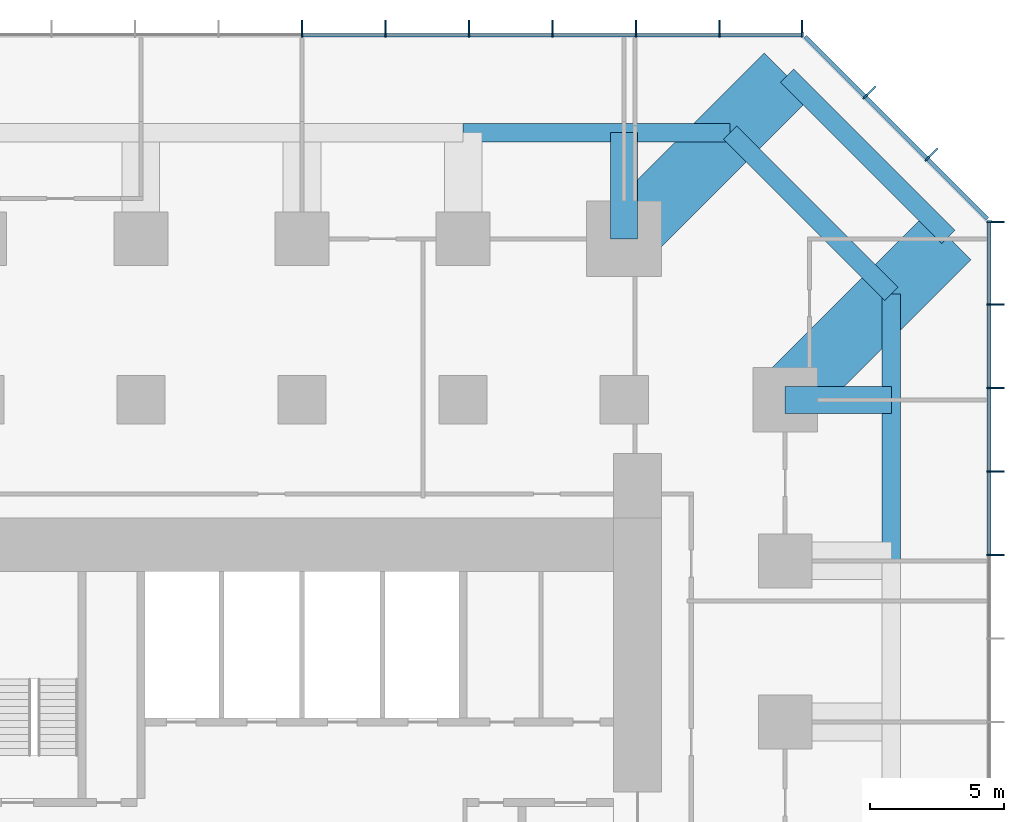
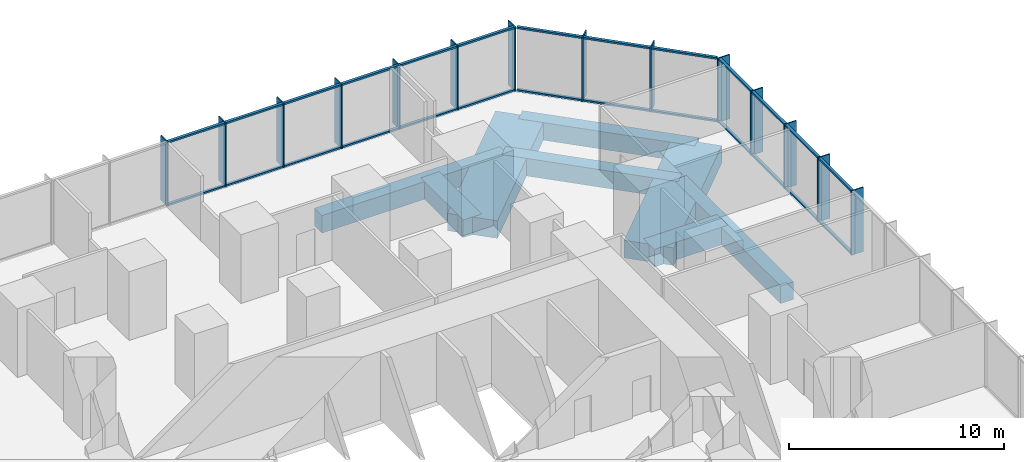
# One storey, part 7 of 13: 54 members, 8 beams, 3 elements without a shape of their own.
"""IFC4 building model written with IfcOpenShell, lengths in metres."""

from ifc_helpers import new_model, si_unit, direction, frame, origin, origin_2d, place, context, subcontext, project, spatial, rectangle, extrude, material, layer, layer_set, material_profile, profile_set, type_object, element, aggregate, save


model = new_model("IFC4")

# Units and contexts
model_context = context("Model", 3, precision=1e-05, world=origin(), true_north=direction((0.0, 1.0)))
body_context = subcontext(model_context, "Body", "Model", "MODEL_VIEW")
ifc_project = project(units=[si_unit("LENGTHUNIT", "METRE"), si_unit("AREAUNIT", "SQUARE_METRE"), si_unit("VOLUMEUNIT", "CUBIC_METRE"), si_unit("PLANEANGLEUNIT", "RADIAN"), si_unit("MASSUNIT", "GRAM", prefix="KILO")], contexts=[model_context])

# Site, building, storey
site_placement = place(None, origin())
site = spatial("IfcSite", under=ifc_project, at=site_placement, CompositionType="ELEMENT")
building_placement = place(site_placement, origin())
building = spatial("IfcBuilding", under=site, at=building_placement, Name="Highveld Stack Headquarters", CompositionType="ELEMENT")
storey_placement = place(building_placement, frame((0.0, 0.0, 84.5)))
storey = spatial("IfcBuildingStorey", under=building, at=storey_placement, Name="L20", CompositionType="ELEMENT", Elevation=84.5)

# Beams
ifc_material_1 = material(Name="Concrete C60/75", Category="concrete")
ifc_material_profile_1 = material_profile(ifc_material_1, rectangle(XDim=1.0, YDim=1.0, at=origin_2d()), Name="RC 1000x1000")
ifc_profile_set_1 = profile_set([ifc_material_profile_1], Name="Concrete C60/75")
beam_type_1 = type_object("IfcBeamType", Name="CANTILEVER RIB RC 1000x1000", PredefinedType="USERDEFINED", material=ifc_profile_set_1)
for number, where, z_axis, x_axis, name in (
    (1, (18.0, 24.0, -0.75), (0.0, 1.0, 0.0), (-1.0, 0.0, 0.0), "Cantilever rib 9/J L20"),
    (2, (24.0, 18.0, -0.75), (1.0, 0.0, 0.0), (0.0, 1.0, 0.0), "Cantilever rib 10/H L20"),
):
    element("IfcBeam", number, at=place(storey_placement, frame(where, z_axis=z_axis, x_axis=x_axis)), inside=storey, type_object=beam_type_1, Name=name, ObjectType="CANTILEVER RIB", PredefinedType="USERDEFINED", context=body_context, shape_type="SweptSolid", body=[
        extrude(rectangle(XDim=1.0, YDim=1.0, at=origin_2d()), origin(), (0.0, 0.0, 1.0), 3.949951171875),
    ])
ifc_material_2 = material(Name="Concrete C60/75", Category="concrete")
ifc_material_profile_2 = material_profile(ifc_material_2, rectangle(XDim=2.39990234375, YDim=1.0, at=origin_2d()), Name="RC 2400x1000")
ifc_profile_set_2 = profile_set([ifc_material_profile_2], Name="Concrete C60/75")
beam_type_2 = type_object("IfcBeamType", Name="CANTILEVER RIB RC 2400x1000", PredefinedType="USERDEFINED", material=ifc_profile_set_2)
for number, where, z_axis, x_axis, name in (
    (3, (18.0, 24.0, -0.75), (0.707106781187, 0.707106781187, 0.0), (-0.707106781187, 0.707106781187, 0.0), "Cantilever rib 9/J L20"),
    (4, (24.0, 18.0, -0.75), (0.707106781187, 0.707106781187, 0.0), (-0.707106781187, 0.707106781187, 0.0), "Cantilever rib 10/H L20"),
):
    element("IfcBeam", number, at=place(storey_placement, frame(where, z_axis=z_axis, x_axis=x_axis)), inside=storey, type_object=beam_type_2, Name=name, ObjectType="CANTILEVER RIB", PredefinedType="USERDEFINED", context=body_context, shape_type="SweptSolid", body=[
        extrude(rectangle(XDim=2.39990234375, YDim=1.0, at=origin_2d()), origin(), (0.0, 0.0, 1.0), 8.585693359375),
    ])

# Curtain wall, members
ifc_material_3 = material(Name="Aluminium bronze anodised", Category="aluminium")
ifc_layer_1 = layer(ifc_material_3, 0.199951171875)
ifc_layer_set_1 = layer_set([ifc_layer_1], Name="Aluminium bronze anodised")
curtain_wall_type_1 = type_object("IfcCurtainWallType", Name="CW1 TOWER UNITISED CURTAIN WALL", PredefinedType="NOTDEFINED", material=ifc_layer_set_1)
curtain_wall_1_placement = place(storey_placement, origin())
curtain_wall_1 = element("IfcCurtainWall", 5, at=curtain_wall_1_placement, inside=storey, type_object=curtain_wall_type_1, Name="Curtain wall CW1 L20 E", PredefinedType="NOTDEFINED")
ifc_material_4 = material(Name="Aluminium bronze anodised", Category="aluminium")
ifc_material_profile_3 = material_profile(ifc_material_4, rectangle(XDim=0.449951171875, YDim=0.06005859375, at=origin_2d()), Name="FIN 450x60")
ifc_profile_set_3 = profile_set([ifc_material_profile_3], Name="Aluminium bronze anodised")
member_type_1 = type_object("IfcMemberType", Name="CW1 BRONZE FIN 450x60", PredefinedType="USERDEFINED", material=ifc_profile_set_3)
member_1_placement = place(storey_placement, frame((31.925048828125, 12.220947265625, 0.0), z_axis=(0.0, 0.0, 1.0), x_axis=(-1.0, 0.0, 0.0)))
member_1 = element("IfcMember", 6, at=member_1_placement, type_object=member_type_1, Name="CW1 fin L20 9", ObjectType="FIN", PredefinedType="USERDEFINED", context=body_context, shape_type="SweptSolid", body=[
    extrude(rectangle(XDim=0.449951171875, YDim=0.06005859375, at=origin_2d()), origin(), (0.0, 0.0, 1.0), 3.64990234375),
])
member_2_placement = place(storey_placement, frame((31.925048828125, 15.331298828125, 0.0), z_axis=(0.0, 0.0, 1.0), x_axis=(-1.0, 0.0, 0.0)))
member_2 = element("IfcMember", 7, at=member_2_placement, type_object=member_type_1, Name="CW1 fin L20 10", ObjectType="FIN", PredefinedType="USERDEFINED", context=body_context, shape_type="SweptSolid", body=[
    extrude(rectangle(XDim=0.449951171875, YDim=0.06005859375, at=origin_2d()), origin(), (0.0, 0.0, 1.0), 3.64990234375),
])
member_3_placement = place(storey_placement, frame((31.925048828125, 18.44189453125, 0.0), z_axis=(0.0, 0.0, 1.0), x_axis=(-1.0, 0.0, 0.0)))
member_3 = element("IfcMember", 8, at=member_3_placement, type_object=member_type_1, Name="CW1 fin L20 11", ObjectType="FIN", PredefinedType="USERDEFINED", context=body_context, shape_type="SweptSolid", body=[
    extrude(rectangle(XDim=0.449951171875, YDim=0.06005859375, at=origin_2d()), origin(), (0.0, 0.0, 1.0), 3.64990234375),
])
member_4_placement = place(storey_placement, frame((31.925048828125, 21.55224609375, 0.0), z_axis=(0.0, 0.0, 1.0), x_axis=(-1.0, 0.0, 0.0)))
member_4 = element("IfcMember", 9, at=member_4_placement, type_object=member_type_1, Name="CW1 fin L20 12", ObjectType="FIN", PredefinedType="USERDEFINED", context=body_context, shape_type="SweptSolid", body=[
    extrude(rectangle(XDim=0.449951171875, YDim=0.06005859375, at=origin_2d()), origin(), (0.0, 0.0, 1.0), 3.64990234375),
])
member_5_placement = place(storey_placement, frame((31.925048828125, 24.630126953125, 0.0), z_axis=(0.0, 0.0, 1.0), x_axis=(-1.0, 0.0, 0.0)))
member_5 = element("IfcMember", 10, at=member_5_placement, type_object=member_type_1, Name="CW1 fin L20 13", ObjectType="FIN", PredefinedType="USERDEFINED", context=body_context, shape_type="SweptSolid", body=[
    extrude(rectangle(XDim=0.449951171875, YDim=0.06005859375, at=origin_2d()), origin(), (0.0, 0.0, 1.0), 3.64990234375),
])

curtain_wall_2_placement = place(storey_placement, origin())
curtain_wall_2 = element("IfcCurtainWall", 11, at=curtain_wall_2_placement, inside=storey, type_object=curtain_wall_type_1, Name="Curtain wall CW1 L20 N", PredefinedType="NOTDEFINED")
member_6_placement = place(storey_placement, frame((24.630126953125, 31.925048828125, 0.0), z_axis=(0.0, 0.0, 1.0), x_axis=(0.0, -1.0, 0.0)))
member_6 = element("IfcMember", 12, at=member_6_placement, type_object=member_type_1, Name="CW1 fin L20 1", ObjectType="FIN", PredefinedType="USERDEFINED", context=body_context, shape_type="SweptSolid", body=[
    extrude(rectangle(XDim=0.449951171875, YDim=0.06005859375, at=origin_2d()), origin(), (0.0, 0.0, 1.0), 3.64990234375),
])
member_7_placement = place(storey_placement, frame((21.55224609375, 31.925048828125, 0.0), z_axis=(0.0, 0.0, 1.0), x_axis=(0.0, -1.0, 0.0)))
member_7 = element("IfcMember", 13, at=member_7_placement, type_object=member_type_1, Name="CW1 fin L20 2", ObjectType="FIN", PredefinedType="USERDEFINED", context=body_context, shape_type="SweptSolid", body=[
    extrude(rectangle(XDim=0.449951171875, YDim=0.06005859375, at=origin_2d()), origin(), (0.0, 0.0, 1.0), 3.64990234375),
])
member_8_placement = place(storey_placement, frame((18.44189453125, 31.925048828125, 0.0), z_axis=(0.0, 0.0, 1.0), x_axis=(0.0, -1.0, 0.0)))
member_8 = element("IfcMember", 14, at=member_8_placement, type_object=member_type_1, Name="CW1 fin L20 3", ObjectType="FIN", PredefinedType="USERDEFINED", context=body_context, shape_type="SweptSolid", body=[
    extrude(rectangle(XDim=0.449951171875, YDim=0.06005859375, at=origin_2d()), origin(), (0.0, 0.0, 1.0), 3.64990234375),
])
member_9_placement = place(storey_placement, frame((15.331298828125, 31.925048828125, 0.0), z_axis=(0.0, 0.0, 1.0), x_axis=(0.0, -1.0, 0.0)))
member_9 = element("IfcMember", 15, at=member_9_placement, type_object=member_type_1, Name="CW1 fin L20 4", ObjectType="FIN", PredefinedType="USERDEFINED", context=body_context, shape_type="SweptSolid", body=[
    extrude(rectangle(XDim=0.449951171875, YDim=0.06005859375, at=origin_2d()), origin(), (0.0, 0.0, 1.0), 3.64990234375),
])
member_10_placement = place(storey_placement, frame((12.220947265625, 31.925048828125, 0.0), z_axis=(0.0, 0.0, 1.0), x_axis=(0.0, -1.0, 0.0)))
member_10 = element("IfcMember", 16, at=member_10_placement, type_object=member_type_1, Name="CW1 fin L20 5", ObjectType="FIN", PredefinedType="USERDEFINED", context=body_context, shape_type="SweptSolid", body=[
    extrude(rectangle(XDim=0.449951171875, YDim=0.06005859375, at=origin_2d()), origin(), (0.0, 0.0, 1.0), 3.64990234375),
])
member_11_placement = place(storey_placement, frame((9.110595703125, 31.925048828125, 0.0), z_axis=(0.0, 0.0, 1.0), x_axis=(0.0, -1.0, 0.0)))
member_11 = element("IfcMember", 17, at=member_11_placement, type_object=member_type_1, Name="CW1 fin L20 6", ObjectType="FIN", PredefinedType="USERDEFINED", context=body_context, shape_type="SweptSolid", body=[
    extrude(rectangle(XDim=0.449951171875, YDim=0.06005859375, at=origin_2d()), origin(), (0.0, 0.0, 1.0), 3.64990234375),
])
member_12_placement = place(storey_placement, frame((6.0, 31.925048828125, 0.0), z_axis=(0.0, 0.0, 1.0), x_axis=(0.0, -1.0, 0.0)))
member_12 = element("IfcMember", 18, at=member_12_placement, type_object=member_type_1, Name="CW1 fin L20 7", ObjectType="FIN", PredefinedType="USERDEFINED", context=body_context, shape_type="SweptSolid", body=[
    extrude(rectangle(XDim=0.449951171875, YDim=0.06005859375, at=origin_2d()), origin(), (0.0, 0.0, 1.0), 3.64990234375),
])

# Member
ifc_material_5 = material(Name="Aluminium bronze anodised", Category="aluminium")
ifc_material_profile_4 = material_profile(ifc_material_5, rectangle(XDim=0.199951171875, YDim=0.06494140625, at=origin_2d()), Name="CW1 MULLION 65x200")
ifc_profile_set_4 = profile_set([ifc_material_profile_4], Name="Aluminium bronze anodised")
member_type_2 = type_object("IfcMemberType", Name="CW1 MULLION 65x200", PredefinedType="MULLION", material=ifc_profile_set_4)
member_13_placement = place(storey_placement, frame((31.60009765625, 12.220947265625, 0.0), z_axis=(0.0, 0.0, 1.0), x_axis=(-1.0, 0.0, 0.0)))
member_13 = element("IfcMember", 19, at=member_13_placement, type_object=member_type_2, Name="CW1 mullion L20 9", PredefinedType="MULLION", context=body_context, shape_type="SweptSolid", body=[
    extrude(rectangle(XDim=0.199951171875, YDim=0.06494140625, at=origin_2d()), origin(), (0.0, 0.0, 1.0), 3.64990234375),
])

member_14_placement = place(storey_placement, frame((31.60009765625, 15.331298828125, 0.0), z_axis=(0.0, 0.0, 1.0), x_axis=(-1.0, 0.0, 0.0)))
member_14 = element("IfcMember", 20, at=member_14_placement, type_object=member_type_2, Name="CW1 mullion L20 10", PredefinedType="MULLION", context=body_context, shape_type="SweptSolid", body=[
    extrude(rectangle(XDim=0.199951171875, YDim=0.06494140625, at=origin_2d()), origin(), (0.0, 0.0, 1.0), 3.64990234375),
])

member_15_placement = place(storey_placement, frame((31.60009765625, 18.44189453125, 0.0), z_axis=(0.0, 0.0, 1.0), x_axis=(-1.0, 0.0, 0.0)))
member_15 = element("IfcMember", 21, at=member_15_placement, type_object=member_type_2, Name="CW1 mullion L20 11", PredefinedType="MULLION", context=body_context, shape_type="SweptSolid", body=[
    extrude(rectangle(XDim=0.199951171875, YDim=0.06494140625, at=origin_2d()), origin(), (0.0, 0.0, 1.0), 3.64990234375),
])

member_16_placement = place(storey_placement, frame((31.60009765625, 21.55224609375, 0.0), z_axis=(0.0, 0.0, 1.0), x_axis=(-1.0, 0.0, 0.0)))
member_16 = element("IfcMember", 22, at=member_16_placement, type_object=member_type_2, Name="CW1 mullion L20 12", PredefinedType="MULLION", context=body_context, shape_type="SweptSolid", body=[
    extrude(rectangle(XDim=0.199951171875, YDim=0.06494140625, at=origin_2d()), origin(), (0.0, 0.0, 1.0), 3.64990234375),
])

member_17_placement = place(storey_placement, frame((31.60009765625, 24.630126953125, 0.0), z_axis=(0.0, 0.0, 1.0), x_axis=(-1.0, 0.0, 0.0)))
member_17 = element("IfcMember", 23, at=member_17_placement, type_object=member_type_2, Name="CW1 mullion L20 13", PredefinedType="MULLION", context=body_context, shape_type="SweptSolid", body=[
    extrude(rectangle(XDim=0.199951171875, YDim=0.06494140625, at=origin_2d()), origin(), (0.0, 0.0, 1.0), 3.64990234375),
])

member_18_placement = place(storey_placement, frame((24.630126953125, 31.60009765625, 0.0), z_axis=(0.0, 0.0, 1.0), x_axis=(0.0, -1.0, 0.0)))
member_18 = element("IfcMember", 24, at=member_18_placement, type_object=member_type_2, Name="CW1 mullion L20 1", PredefinedType="MULLION", context=body_context, shape_type="SweptSolid", body=[
    extrude(rectangle(XDim=0.199951171875, YDim=0.06494140625, at=origin_2d()), origin(), (0.0, 0.0, 1.0), 3.64990234375),
])

member_19_placement = place(storey_placement, frame((21.55224609375, 31.60009765625, 0.0), z_axis=(0.0, 0.0, 1.0), x_axis=(0.0, -1.0, 0.0)))
member_19 = element("IfcMember", 25, at=member_19_placement, type_object=member_type_2, Name="CW1 mullion L20 2", PredefinedType="MULLION", context=body_context, shape_type="SweptSolid", body=[
    extrude(rectangle(XDim=0.199951171875, YDim=0.06494140625, at=origin_2d()), origin(), (0.0, 0.0, 1.0), 3.64990234375),
])

member_20_placement = place(storey_placement, frame((18.44189453125, 31.60009765625, 0.0), z_axis=(0.0, 0.0, 1.0), x_axis=(0.0, -1.0, 0.0)))
member_20 = element("IfcMember", 26, at=member_20_placement, type_object=member_type_2, Name="CW1 mullion L20 3", PredefinedType="MULLION", context=body_context, shape_type="SweptSolid", body=[
    extrude(rectangle(XDim=0.199951171875, YDim=0.06494140625, at=origin_2d()), origin(), (0.0, 0.0, 1.0), 3.64990234375),
])

member_21_placement = place(storey_placement, frame((15.331298828125, 31.60009765625, 0.0), z_axis=(0.0, 0.0, 1.0), x_axis=(0.0, -1.0, 0.0)))
member_21 = element("IfcMember", 27, at=member_21_placement, type_object=member_type_2, Name="CW1 mullion L20 4", PredefinedType="MULLION", context=body_context, shape_type="SweptSolid", body=[
    extrude(rectangle(XDim=0.199951171875, YDim=0.06494140625, at=origin_2d()), origin(), (0.0, 0.0, 1.0), 3.64990234375),
])

member_22_placement = place(storey_placement, frame((12.220947265625, 31.60009765625, 0.0), z_axis=(0.0, 0.0, 1.0), x_axis=(0.0, -1.0, 0.0)))
member_22 = element("IfcMember", 28, at=member_22_placement, type_object=member_type_2, Name="CW1 mullion L20 5", PredefinedType="MULLION", context=body_context, shape_type="SweptSolid", body=[
    extrude(rectangle(XDim=0.199951171875, YDim=0.06494140625, at=origin_2d()), origin(), (0.0, 0.0, 1.0), 3.64990234375),
])

member_23_placement = place(storey_placement, frame((9.110595703125, 31.60009765625, 0.0), z_axis=(0.0, 0.0, 1.0), x_axis=(0.0, -1.0, 0.0)))
member_23 = element("IfcMember", 29, at=member_23_placement, type_object=member_type_2, Name="CW1 mullion L20 6", PredefinedType="MULLION", context=body_context, shape_type="SweptSolid", body=[
    extrude(rectangle(XDim=0.199951171875, YDim=0.06494140625, at=origin_2d()), origin(), (0.0, 0.0, 1.0), 3.64990234375),
])

member_24_placement = place(storey_placement, frame((6.0, 31.60009765625, 0.0), z_axis=(0.0, 0.0, 1.0), x_axis=(0.0, -1.0, 0.0)))
member_24 = element("IfcMember", 30, at=member_24_placement, type_object=member_type_2, Name="CW1 mullion L20 7", PredefinedType="MULLION", context=body_context, shape_type="SweptSolid", body=[
    extrude(rectangle(XDim=0.199951171875, YDim=0.06494140625, at=origin_2d()), origin(), (0.0, 0.0, 1.0), 3.64990234375),
])

ifc_material_6 = material(Name="Aluminium bronze anodised", Category="aluminium")
ifc_material_profile_5 = material_profile(ifc_material_6, rectangle(XDim=0.14990234375, YDim=0.10009765625, at=origin_2d()), Name="CW1 TRANSOM 150x100")
ifc_profile_set_5 = profile_set([ifc_material_profile_5], Name="Aluminium bronze anodised")
member_type_3 = type_object("IfcMemberType", Name="CW1 STACK TRANSOM 150x100", PredefinedType="USERDEFINED", material=ifc_profile_set_5)
member_25_placement = place(storey_placement, frame((31.60009765625, 12.25341796875, 0.050048828125), z_axis=(0.0, 1.0, 0.0), x_axis=(-1.0, 0.0, 0.0)))
member_25 = element("IfcMember", 31, at=member_25_placement, type_object=member_type_3, Name="CW1 transom L20 9.1", ObjectType="TRANSOM", PredefinedType="USERDEFINED", context=body_context, shape_type="SweptSolid", body=[
    extrude(rectangle(XDim=0.14990234375, YDim=0.10009765625, at=origin_2d()), origin(), (0.0, 0.0, 1.0), 3.04541015625),
])

member_26_placement = place(storey_placement, frame((31.60009765625, 12.25341796875, 3.60009765625), z_axis=(0.0, 1.0, 0.0), x_axis=(-1.0, 0.0, 0.0)))
member_26 = element("IfcMember", 32, at=member_26_placement, type_object=member_type_3, Name="CW1 transom L20 9.2", ObjectType="TRANSOM", PredefinedType="USERDEFINED", context=body_context, shape_type="SweptSolid", body=[
    extrude(rectangle(XDim=0.14990234375, YDim=0.10009765625, at=origin_2d()), origin(), (0.0, 0.0, 1.0), 3.04541015625),
])

member_27_placement = place(storey_placement, frame((31.60009765625, 15.364013671875, 0.050048828125), z_axis=(0.0, 1.0, 0.0), x_axis=(-1.0, 0.0, 0.0)))
member_27 = element("IfcMember", 33, at=member_27_placement, type_object=member_type_3, Name="CW1 transom L20 10.1", ObjectType="TRANSOM", PredefinedType="USERDEFINED", context=body_context, shape_type="SweptSolid", body=[
    extrude(rectangle(XDim=0.14990234375, YDim=0.10009765625, at=origin_2d()), origin(), (0.0, 0.0, 1.0), 3.045166015625),
])

member_28_placement = place(storey_placement, frame((31.60009765625, 15.364013671875, 3.60009765625), z_axis=(0.0, 1.0, 0.0), x_axis=(-1.0, 0.0, 0.0)))
member_28 = element("IfcMember", 34, at=member_28_placement, type_object=member_type_3, Name="CW1 transom L20 10.2", ObjectType="TRANSOM", PredefinedType="USERDEFINED", context=body_context, shape_type="SweptSolid", body=[
    extrude(rectangle(XDim=0.14990234375, YDim=0.10009765625, at=origin_2d()), origin(), (0.0, 0.0, 1.0), 3.045166015625),
])

member_29_placement = place(storey_placement, frame((31.60009765625, 18.474365234375, 0.050048828125), z_axis=(0.0, 1.0, 0.0), x_axis=(-1.0, 0.0, 0.0)))
member_29 = element("IfcMember", 35, at=member_29_placement, type_object=member_type_3, Name="CW1 transom L20 11.1", ObjectType="TRANSOM", PredefinedType="USERDEFINED", context=body_context, shape_type="SweptSolid", body=[
    extrude(rectangle(XDim=0.14990234375, YDim=0.10009765625, at=origin_2d()), origin(), (0.0, 0.0, 1.0), 3.04541015625),
])

member_30_placement = place(storey_placement, frame((31.60009765625, 18.474365234375, 3.60009765625), z_axis=(0.0, 1.0, 0.0), x_axis=(-1.0, 0.0, 0.0)))
member_30 = element("IfcMember", 36, at=member_30_placement, type_object=member_type_3, Name="CW1 transom L20 11.2", ObjectType="TRANSOM", PredefinedType="USERDEFINED", context=body_context, shape_type="SweptSolid", body=[
    extrude(rectangle(XDim=0.14990234375, YDim=0.10009765625, at=origin_2d()), origin(), (0.0, 0.0, 1.0), 3.04541015625),
])

member_31_placement = place(storey_placement, frame((31.60009765625, 21.584716796875, 0.050048828125), z_axis=(0.0, 1.0, 0.0), x_axis=(-1.0, 0.0, 0.0)))
member_31 = element("IfcMember", 37, at=member_31_placement, type_object=member_type_3, Name="CW1 transom L20 12.1", ObjectType="TRANSOM", PredefinedType="USERDEFINED", context=body_context, shape_type="SweptSolid", body=[
    extrude(rectangle(XDim=0.14990234375, YDim=0.10009765625, at=origin_2d()), origin(), (0.0, 0.0, 1.0), 3.012939453125),
])

member_32_placement = place(storey_placement, frame((31.60009765625, 21.584716796875, 3.60009765625), z_axis=(0.0, 1.0, 0.0), x_axis=(-1.0, 0.0, 0.0)))
member_32 = element("IfcMember", 38, at=member_32_placement, type_object=member_type_3, Name="CW1 transom L20 12.2", ObjectType="TRANSOM", PredefinedType="USERDEFINED", context=body_context, shape_type="SweptSolid", body=[
    extrude(rectangle(XDim=0.14990234375, YDim=0.10009765625, at=origin_2d()), origin(), (0.0, 0.0, 1.0), 3.012939453125),
])

aggregate(curtain_wall_1, [member_13, member_1, member_14, member_2, member_15, member_3, member_16, member_4, member_17, member_5, member_25, member_26, member_27, member_28, member_29, member_30, member_31, member_32])

member_33_placement = place(storey_placement, frame((24.59765625, 31.60009765625, 0.050048828125), z_axis=(-1.0, 0.0, 0.0), x_axis=(0.0, -1.0, 0.0)))
member_33 = element("IfcMember", 39, at=member_33_placement, type_object=member_type_3, Name="CW1 transom L20 1.1", ObjectType="TRANSOM", PredefinedType="USERDEFINED", context=body_context, shape_type="SweptSolid", body=[
    extrude(rectangle(XDim=0.14990234375, YDim=0.10009765625, at=origin_2d()), origin(), (0.0, 0.0, 1.0), 3.012939453125),
])

member_34_placement = place(storey_placement, frame((24.59765625, 31.60009765625, 3.60009765625), z_axis=(-1.0, 0.0, 0.0), x_axis=(0.0, -1.0, 0.0)))
member_34 = element("IfcMember", 40, at=member_34_placement, type_object=member_type_3, Name="CW1 transom L20 1.2", ObjectType="TRANSOM", PredefinedType="USERDEFINED", context=body_context, shape_type="SweptSolid", body=[
    extrude(rectangle(XDim=0.14990234375, YDim=0.10009765625, at=origin_2d()), origin(), (0.0, 0.0, 1.0), 3.012939453125),
])

member_35_placement = place(storey_placement, frame((21.519775390625, 31.60009765625, 0.050048828125), z_axis=(-1.0, 0.0, 0.0), x_axis=(0.0, -1.0, 0.0)))
member_35 = element("IfcMember", 41, at=member_35_placement, type_object=member_type_3, Name="CW1 transom L20 2.1", ObjectType="TRANSOM", PredefinedType="USERDEFINED", context=body_context, shape_type="SweptSolid", body=[
    extrude(rectangle(XDim=0.14990234375, YDim=0.10009765625, at=origin_2d()), origin(), (0.0, 0.0, 1.0), 3.04541015625),
])

member_36_placement = place(storey_placement, frame((21.519775390625, 31.60009765625, 3.60009765625), z_axis=(-1.0, 0.0, 0.0), x_axis=(0.0, -1.0, 0.0)))
member_36 = element("IfcMember", 42, at=member_36_placement, type_object=member_type_3, Name="CW1 transom L20 2.2", ObjectType="TRANSOM", PredefinedType="USERDEFINED", context=body_context, shape_type="SweptSolid", body=[
    extrude(rectangle(XDim=0.14990234375, YDim=0.10009765625, at=origin_2d()), origin(), (0.0, 0.0, 1.0), 3.04541015625),
])

member_37_placement = place(storey_placement, frame((18.4091796875, 31.60009765625, 0.050048828125), z_axis=(-1.0, 0.0, 0.0), x_axis=(0.0, -1.0, 0.0)))
member_37 = element("IfcMember", 43, at=member_37_placement, type_object=member_type_3, Name="CW1 transom L20 3.1", ObjectType="TRANSOM", PredefinedType="USERDEFINED", context=body_context, shape_type="SweptSolid", body=[
    extrude(rectangle(XDim=0.14990234375, YDim=0.10009765625, at=origin_2d()), origin(), (0.0, 0.0, 1.0), 3.045166015625),
])

member_38_placement = place(storey_placement, frame((18.4091796875, 31.60009765625, 3.60009765625), z_axis=(-1.0, 0.0, 0.0), x_axis=(0.0, -1.0, 0.0)))
member_38 = element("IfcMember", 44, at=member_38_placement, type_object=member_type_3, Name="CW1 transom L20 3.2", ObjectType="TRANSOM", PredefinedType="USERDEFINED", context=body_context, shape_type="SweptSolid", body=[
    extrude(rectangle(XDim=0.14990234375, YDim=0.10009765625, at=origin_2d()), origin(), (0.0, 0.0, 1.0), 3.045166015625),
])

member_39_placement = place(storey_placement, frame((15.298828125, 31.60009765625, 0.050048828125), z_axis=(-1.0, 0.0, 0.0), x_axis=(0.0, -1.0, 0.0)))
member_39 = element("IfcMember", 45, at=member_39_placement, type_object=member_type_3, Name="CW1 transom L20 4.1", ObjectType="TRANSOM", PredefinedType="USERDEFINED", context=body_context, shape_type="SweptSolid", body=[
    extrude(rectangle(XDim=0.14990234375, YDim=0.10009765625, at=origin_2d()), origin(), (0.0, 0.0, 1.0), 3.04541015625),
])

member_40_placement = place(storey_placement, frame((15.298828125, 31.60009765625, 3.60009765625), z_axis=(-1.0, 0.0, 0.0), x_axis=(0.0, -1.0, 0.0)))
member_40 = element("IfcMember", 46, at=member_40_placement, type_object=member_type_3, Name="CW1 transom L20 4.2", ObjectType="TRANSOM", PredefinedType="USERDEFINED", context=body_context, shape_type="SweptSolid", body=[
    extrude(rectangle(XDim=0.14990234375, YDim=0.10009765625, at=origin_2d()), origin(), (0.0, 0.0, 1.0), 3.04541015625),
])

member_41_placement = place(storey_placement, frame((12.1884765625, 31.60009765625, 0.050048828125), z_axis=(-1.0, 0.0, 0.0), x_axis=(0.0, -1.0, 0.0)))
member_41 = element("IfcMember", 47, at=member_41_placement, type_object=member_type_3, Name="CW1 transom L20 5.1", ObjectType="TRANSOM", PredefinedType="USERDEFINED", context=body_context, shape_type="SweptSolid", body=[
    extrude(rectangle(XDim=0.14990234375, YDim=0.10009765625, at=origin_2d()), origin(), (0.0, 0.0, 1.0), 3.04541015625),
])

member_42_placement = place(storey_placement, frame((12.1884765625, 31.60009765625, 3.60009765625), z_axis=(-1.0, 0.0, 0.0), x_axis=(0.0, -1.0, 0.0)))
member_42 = element("IfcMember", 48, at=member_42_placement, type_object=member_type_3, Name="CW1 transom L20 5.2", ObjectType="TRANSOM", PredefinedType="USERDEFINED", context=body_context, shape_type="SweptSolid", body=[
    extrude(rectangle(XDim=0.14990234375, YDim=0.10009765625, at=origin_2d()), origin(), (0.0, 0.0, 1.0), 3.04541015625),
])

member_43_placement = place(storey_placement, frame((9.077880859375, 31.60009765625, 0.050048828125), z_axis=(-1.0, 0.0, 0.0), x_axis=(0.0, -1.0, 0.0)))
member_43 = element("IfcMember", 49, at=member_43_placement, type_object=member_type_3, Name="CW1 transom L20 6.1", ObjectType="TRANSOM", PredefinedType="USERDEFINED", context=body_context, shape_type="SweptSolid", body=[
    extrude(rectangle(XDim=0.14990234375, YDim=0.10009765625, at=origin_2d()), origin(), (0.0, 0.0, 1.0), 3.04541015625),
])

member_44_placement = place(storey_placement, frame((9.077880859375, 31.60009765625, 3.60009765625), z_axis=(-1.0, 0.0, 0.0), x_axis=(0.0, -1.0, 0.0)))
member_44 = element("IfcMember", 50, at=member_44_placement, type_object=member_type_3, Name="CW1 transom L20 6.2", ObjectType="TRANSOM", PredefinedType="USERDEFINED", context=body_context, shape_type="SweptSolid", body=[
    extrude(rectangle(XDim=0.14990234375, YDim=0.10009765625, at=origin_2d()), origin(), (0.0, 0.0, 1.0), 3.04541015625),
])

aggregate(curtain_wall_2, [member_18, member_6, member_19, member_7, member_20, member_8, member_21, member_9, member_22, member_10, member_23, member_11, member_24, member_12, member_33, member_34, member_35, member_36, member_37, member_38, member_39, member_40, member_41, member_42, member_43, member_44])

# Curtain wall, members
ifc_material_7 = material(Name="Aluminium bronze anodised", Category="aluminium")
ifc_layer_2 = layer(ifc_material_7, 0.199951171875)
ifc_layer_set_2 = layer_set([ifc_layer_2], Name="Aluminium bronze anodised")
curtain_wall_type_2 = type_object("IfcCurtainWallType", Name="CW2 TOWER CHAMFER UNITISED CURTAIN WALL", PredefinedType="NOTDEFINED", material=ifc_layer_set_2)
curtain_wall_3_placement = place(storey_placement, origin())
curtain_wall_3 = element("IfcCurtainWall", 51, at=curtain_wall_3_placement, inside=storey, type_object=curtain_wall_type_2, Name="Curtain wall CW2 L20 NE", PredefinedType="NOTDEFINED")
ifc_material_8 = material(Name="Aluminium bronze anodised", Category="aluminium")
ifc_material_profile_6 = material_profile(ifc_material_8, rectangle(XDim=0.449951171875, YDim=0.06005859375, at=origin_2d()), Name="FIN 450x60")
ifc_profile_set_6 = profile_set([ifc_material_profile_6], Name="Aluminium bronze anodised")
member_type_4 = type_object("IfcMemberType", Name="CW2 BRONZE FIN 450x60", PredefinedType="USERDEFINED", material=ifc_profile_set_6)
member_45_placement = place(storey_placement, frame((29.517333984375, 27.204833984375, 0.0), z_axis=(0.0, 0.0, 1.0), x_axis=(-0.707106781187, -0.707106781187, 0.0)))
member_45 = element("IfcMember", 52, at=member_45_placement, type_object=member_type_4, Name="CW2 fin L20 1", ObjectType="FIN", PredefinedType="USERDEFINED", context=body_context, shape_type="SweptSolid", body=[
    extrude(rectangle(XDim=0.449951171875, YDim=0.06005859375, at=origin_2d()), origin(), (0.0, 0.0, 1.0), 3.64990234375),
])
member_46_placement = place(storey_placement, frame((27.204833984375, 29.517333984375, 0.0), z_axis=(0.0, 0.0, 1.0), x_axis=(-0.707106781187, -0.707106781187, 0.0)))
member_46 = element("IfcMember", 53, at=member_46_placement, type_object=member_type_4, Name="CW2 fin L20 2", ObjectType="FIN", PredefinedType="USERDEFINED", context=body_context, shape_type="SweptSolid", body=[
    extrude(rectangle(XDim=0.449951171875, YDim=0.06005859375, at=origin_2d()), origin(), (0.0, 0.0, 1.0), 3.64990234375),
])
ifc_material_9 = material(Name="Aluminium bronze anodised", Category="aluminium")
ifc_material_profile_7 = material_profile(ifc_material_9, rectangle(XDim=0.199951171875, YDim=0.06494140625, at=origin_2d()), Name="CW2 MULLION 65x200")
ifc_profile_set_7 = profile_set([ifc_material_profile_7], Name="Aluminium bronze anodised")
member_type_5 = type_object("IfcMemberType", Name="CW2 MULLION 65x200", PredefinedType="MULLION", material=ifc_profile_set_7)
member_47_placement = place(storey_placement, frame((29.28759765625, 26.97509765625, 0.0), z_axis=(0.0, 0.0, 1.0), x_axis=(-0.707106781187, -0.707106781187, 0.0)))
member_47 = element("IfcMember", 54, at=member_47_placement, type_object=member_type_5, Name="CW2 mullion L20 1", PredefinedType="MULLION", context=body_context, shape_type="SweptSolid", body=[
    extrude(rectangle(XDim=0.199951171875, YDim=0.06494140625, at=origin_2d()), origin(), (0.0, 0.0, 1.0), 3.64990234375),
])
member_48_placement = place(storey_placement, frame((26.97509765625, 29.28759765625, 0.0), z_axis=(0.0, 0.0, 1.0), x_axis=(-0.707106781187, -0.707106781187, 0.0)))
member_48 = element("IfcMember", 55, at=member_48_placement, type_object=member_type_5, Name="CW2 mullion L20 2", PredefinedType="MULLION", context=body_context, shape_type="SweptSolid", body=[
    extrude(rectangle(XDim=0.199951171875, YDim=0.06494140625, at=origin_2d()), origin(), (0.0, 0.0, 1.0), 3.64990234375),
])
ifc_material_10 = material(Name="Aluminium bronze anodised", Category="aluminium")
ifc_material_profile_8 = material_profile(ifc_material_10, rectangle(XDim=0.14990234375, YDim=0.10009765625, at=origin_2d()), Name="CW2 TRANSOM 150x100")
ifc_profile_set_8 = profile_set([ifc_material_profile_8], Name="Aluminium bronze anodised")
member_type_6 = type_object("IfcMemberType", Name="CW2 STACK TRANSOM 150x100", PredefinedType="USERDEFINED", material=ifc_profile_set_8)
member_49_placement = place(storey_placement, frame((31.529296875, 24.7333984375, 0.050048828125), z_axis=(-0.707106781187, 0.707106781187, 0.0), x_axis=(-0.707106781187, -0.707106781187, 0.0)))
member_49 = element("IfcMember", 56, at=member_49_placement, type_object=member_type_6, Name="CW2 transom L20 1.1", ObjectType="TRANSOM", PredefinedType="USERDEFINED", context=body_context, shape_type="SweptSolid", body=[
    extrude(rectangle(XDim=0.14990234375, YDim=0.10009765625, at=origin_2d()), origin(), (0.0, 0.0, 1.0), 3.1376953125),
])
member_50_placement = place(storey_placement, frame((31.529296875, 24.7333984375, 3.60009765625), z_axis=(-0.707106781187, 0.707106781187, 0.0), x_axis=(-0.707106781187, -0.707106781187, 0.0)))
member_50 = element("IfcMember", 57, at=member_50_placement, type_object=member_type_6, Name="CW2 transom L20 1.2", ObjectType="TRANSOM", PredefinedType="USERDEFINED", context=body_context, shape_type="SweptSolid", body=[
    extrude(rectangle(XDim=0.14990234375, YDim=0.10009765625, at=origin_2d()), origin(), (0.0, 0.0, 1.0), 3.1376953125),
])
member_51_placement = place(storey_placement, frame((29.2646484375, 26.998046875, 0.050048828125), z_axis=(-0.707106781187, 0.707106781187, 0.0), x_axis=(-0.707106781187, -0.707106781187, 0.0)))
member_51 = element("IfcMember", 58, at=member_51_placement, type_object=member_type_6, Name="CW2 transom L20 2.1", ObjectType="TRANSOM", PredefinedType="USERDEFINED", context=body_context, shape_type="SweptSolid", body=[
    extrude(rectangle(XDim=0.14990234375, YDim=0.10009765625, at=origin_2d()), origin(), (0.0, 0.0, 1.0), 3.20556640625),
])
member_52_placement = place(storey_placement, frame((29.2646484375, 26.998046875, 3.60009765625), z_axis=(-0.707106781187, 0.707106781187, 0.0), x_axis=(-0.707106781187, -0.707106781187, 0.0)))
member_52 = element("IfcMember", 59, at=member_52_placement, type_object=member_type_6, Name="CW2 transom L20 2.2", ObjectType="TRANSOM", PredefinedType="USERDEFINED", context=body_context, shape_type="SweptSolid", body=[
    extrude(rectangle(XDim=0.14990234375, YDim=0.10009765625, at=origin_2d()), origin(), (0.0, 0.0, 1.0), 3.20556640625),
])
member_53_placement = place(storey_placement, frame((26.9521484375, 29.310546875, 0.050048828125), z_axis=(-0.707106781187, 0.707106781187, 0.0), x_axis=(-0.707106781187, -0.707106781187, 0.0)))
member_53 = element("IfcMember", 60, at=member_53_placement, type_object=member_type_6, Name="CW2 transom L20 3.1", ObjectType="TRANSOM", PredefinedType="USERDEFINED", context=body_context, shape_type="SweptSolid", body=[
    extrude(rectangle(XDim=0.14990234375, YDim=0.10009765625, at=origin_2d()), origin(), (0.0, 0.0, 1.0), 3.1376953125),
])
member_54_placement = place(storey_placement, frame((26.9521484375, 29.310546875, 3.60009765625), z_axis=(-0.707106781187, 0.707106781187, 0.0), x_axis=(-0.707106781187, -0.707106781187, 0.0)))
member_54 = element("IfcMember", 61, at=member_54_placement, type_object=member_type_6, Name="CW2 transom L20 3.2", ObjectType="TRANSOM", PredefinedType="USERDEFINED", context=body_context, shape_type="SweptSolid", body=[
    extrude(rectangle(XDim=0.14990234375, YDim=0.10009765625, at=origin_2d()), origin(), (0.0, 0.0, 1.0), 3.1376953125),
])
aggregate(curtain_wall_3, [member_47, member_45, member_48, member_46, member_49, member_50, member_51, member_52, member_53, member_54])

# Beams
ifc_material_11 = material(Name="Concrete C60/75", Category="concrete")
ifc_material_profile_9 = material_profile(ifc_material_11, rectangle(XDim=0.699951171875, YDim=1.0, at=origin_2d()), Name="RC 700x1000")
ifc_profile_set_9 = profile_set([ifc_material_profile_9], Name="Concrete C60/75")
beam_type_3 = type_object("IfcBeamType", Name="RIB TIP BEAM RC 700x1000", PredefinedType="SPANDREL", material=ifc_profile_set_9)
for number, where, z_axis, x_axis, name in (
    (62, (27.949951171875, 12.0, -0.75), (0.0, 1.0, 0.0), (-1.0, 0.0, 0.0), "Rib tip beam 10/G to 10/H L20"),
    (63, (12.0, 27.949951171875, -0.75), (1.0, 0.0, 0.0), (0.0, 1.0, 0.0), "Rib tip beam 8/J to 9/J L20"),
):
    element("IfcBeam", number, at=place(storey_placement, frame(where, z_axis=z_axis, x_axis=x_axis)), inside=storey, type_object=beam_type_3, Name=name, PredefinedType="SPANDREL", context=body_context, shape_type="SweptSolid", body=[
        extrude(rectangle(XDim=0.699951171875, YDim=1.0, at=origin_2d()), origin(), (0.0, 0.0, 1.0), 9.949951171875),
    ])
for number, where, z_axis, x_axis, name in (
    (64, (21.949951171875, 27.949951171875, -0.75), (0.707106781187, -0.707106781187, 0.0), (0.707106781187, 0.707106781187, 0.0), "Rib tip beam 9/J to 10/H chamfer L20"),
    (65, (24.071044921875, 30.071044921875, -0.75), (0.707106781187, -0.707106781187, 0.0), (0.707106781187, 0.707106781187, 0.0), "Rib tip beam 9/J to 10/H chamfer edge L20"),
):
    element("IfcBeam", number, at=place(storey_placement, frame(where, z_axis=z_axis, x_axis=x_axis)), inside=storey, type_object=beam_type_3, Name=name, PredefinedType="SPANDREL", context=body_context, shape_type="SweptSolid", body=[
        extrude(rectangle(XDim=0.699951171875, YDim=1.0, at=origin_2d()), origin(), (0.0, 0.0, 1.0), 8.4853515625),
    ])

save(model, "model.ifc")
